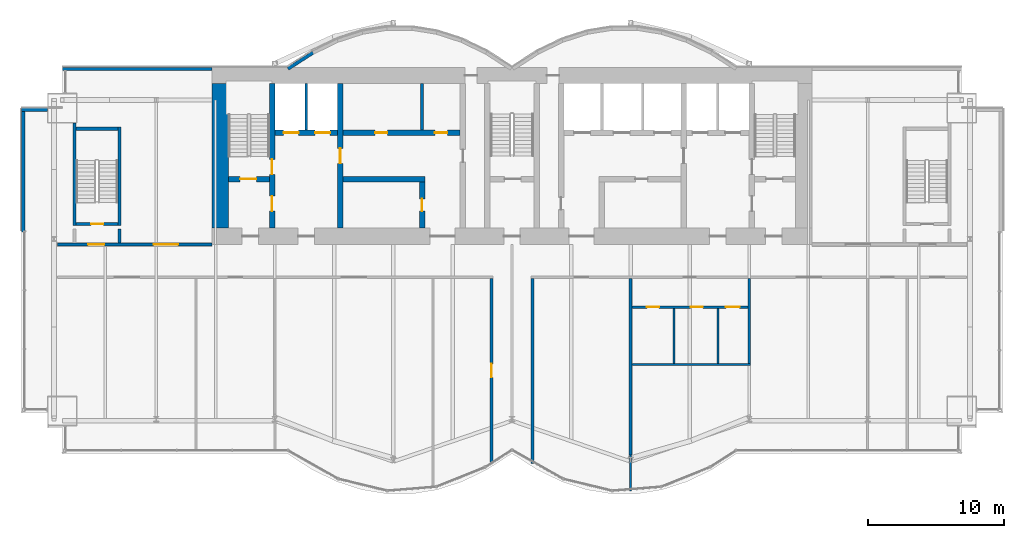
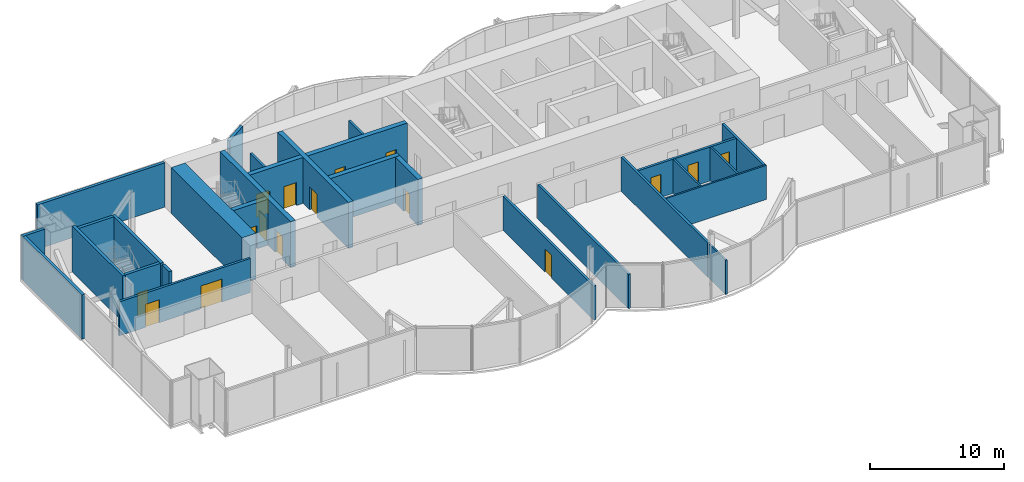
# One storey, part 13 of 19: 28 walls, 16 doors, 16 openings.
"""IFC4 building model written with IfcOpenShell, lengths in metres."""

from ifc_helpers import new_model, si_unit, direction, frame, frame_2d, origin, place, context, subcontext, project, spatial, rectangle, extrude, material, layer, layer_set, layer_usage, type_object, element, fill, save


model = new_model("IFC4")

# Units and contexts
model_context = context("Model", 3, precision=1e-05, world=origin(), true_north=direction((0.0, 1.0)))
body_context = subcontext(model_context, "Body", "Model", "MODEL_VIEW")
ifc_project = project(units=[si_unit("LENGTHUNIT", "METRE"), si_unit("AREAUNIT", "SQUARE_METRE"), si_unit("VOLUMEUNIT", "CUBIC_METRE"), si_unit("PLANEANGLEUNIT", "RADIAN"), si_unit("MASSUNIT", "GRAM", prefix="KILO")], contexts=[model_context])

# Site, building, storey
site_placement = place(None, origin())
site = spatial("IfcSite", under=ifc_project, at=site_placement, CompositionType="ELEMENT")
building_placement = place(site_placement, origin())
building = spatial("IfcBuilding", under=site, at=building_placement, Name="Bicima Exchange Tower", CompositionType="ELEMENT")
storey_placement = place(building_placement, frame((0.0, 0.0, 275.0)))
storey = spatial("IfcBuildingStorey", under=building, at=storey_placement, Name="L62", CompositionType="ELEMENT", Elevation=275.0)

# Wall
ifc_material_1 = material(Name="Gypsum board partition")
ifc_layer_1 = layer(ifc_material_1, 0.199951171875)
ifc_layer_set_1 = layer_set([ifc_layer_1], Name="Gypsum board partition")
wall_type_1 = type_object("IfcWallType", Name="Fire-rated gypsum partition 200 EI120", PredefinedType="PARTITIONING", material=ifc_layer_set_1)
wall_1_placement = place(storey_placement, frame((-15.10009765625, -4.60009765625, 0.0), z_axis=(0.0, 0.0, 1.0), x_axis=(0.0, 1.0, 0.0)))
element("IfcWall", 1, at=wall_1_placement, inside=storey, type_object=wall_type_1, Name="partition wall 9", PredefinedType="PARTITIONING", context=body_context, shape_type="SweptSolid", body=[
    extrude(rectangle(XDim=3.400146484375, YDim=0.199951171875, at=frame_2d((1.7001953125, 0.0))), origin(), (0.0, 0.0, 1.0), 3.1181640625),
])

# Wall, openings, doors
ifc_layer_2 = layer(ifc_material_1, 0.199951171875)
ifc_layer_set_2 = layer_set([ifc_layer_2], Name="Gypsum board partition")
wall_type_2 = type_object("IfcWallType", Name="Fire-rated gypsum partition 200 EI60", PredefinedType="PARTITIONING", material=ifc_layer_set_2)
wall_2_placement = place(storey_placement, frame((8.800048828125, -17.60009765625, 0.0), z_axis=(0.0, 0.0, 1.0), x_axis=(1.0, 0.0, 0.0)))
wall_2 = element("IfcWall", 2, at=wall_2_placement, inside=storey, type_object=wall_type_2, Name="partition wall 2", PredefinedType="PARTITIONING", context=body_context, shape_type="SweptSolid", body=[
    extrude(rectangle(XDim=8.5, YDim=0.199951171875, at=frame_2d((4.25, 0.0))), origin(), (0.0, 0.0, 1.0), 3.1181640625),
])
opening_1_placement = place(wall_2_placement, frame((1.10009765625, 0.0, 0.0)))
opening_1 = element("IfcOpeningElement", 3, at=opening_1_placement, cuts=wall_2, Name="Opening L62-013", PredefinedType="OPENING", context=body_context, shape_type="SweptSolid", body=[
    extrude(rectangle(XDim=0.89990234375, YDim=2.10009765625, at=frame_2d((0.449951171875, 1.050048828125))), frame((0.0, 0.11181640625, 0.0), z_axis=(0.0, -1.0, 0.0), x_axis=(1.0, 0.0, 0.0)), (0.0, 0.0, 1.0), 0.223876953125),
])
opening_2_placement = place(wall_2_placement, frame((4.300048828125, 0.0, 0.0)))
opening_2 = element("IfcOpeningElement", 4, at=opening_2_placement, cuts=wall_2, Name="Opening L62-014", PredefinedType="OPENING", context=body_context, shape_type="SweptSolid", body=[
    extrude(rectangle(XDim=0.89990234375, YDim=2.10009765625, at=frame_2d((0.449951171875, 1.050048828125))), frame((0.0, 0.11181640625, 0.0), z_axis=(0.0, -1.0, 0.0), x_axis=(1.0, 0.0, 0.0)), (0.0, 0.0, 1.0), 0.223876953125),
])
opening_3_placement = place(wall_2_placement, frame((6.89990234375, 0.0, 0.0)))
opening_3 = element("IfcOpeningElement", 5, at=opening_3_placement, cuts=wall_2, Name="Opening L62-015", PredefinedType="OPENING", context=body_context, shape_type="SweptSolid", body=[
    extrude(rectangle(XDim=1.0, YDim=2.10009765625, at=frame_2d((0.5, 1.050048828125))), frame((0.0, 0.11181640625, 0.0), z_axis=(0.0, -1.0, 0.0), x_axis=(1.0, 0.0, 0.0)), (0.0, 0.0, 1.0), 0.223876953125),
])
ifc_material_2 = material(Name="Steel fire door leaf", Category="steel")
door_type_1 = type_object("IfcDoorType", Name="Door 1000 swing FD30S", OperationType="SINGLE_SWING_LEFT", PredefinedType="DOOR", material=ifc_material_2)
door_1_placement = place(opening_3_placement, frame((1.0, 0.0, 0.0), z_axis=(0.0, 0.0, 1.0), x_axis=(-1.0, 0.0, 0.0)))
door_1 = element("IfcDoor", 6, at=door_1_placement, inside=storey, type_object=door_type_1, Name="Door", OperationType="SINGLE_SWING_RIGHT", OverallHeight=2.10009765625, OverallWidth=1.0, PredefinedType="DOOR", context=body_context, shape_type="SweptSolid", body=[
    extrude(rectangle(XDim=1.0, YDim=2.10009765625, at=frame_2d((0.5, 1.050048828125))), frame((0.0, 0.02490234375, 0.0), z_axis=(0.0, -1.0, 0.0), x_axis=(1.0, 0.0, 0.0)), (0.0, 0.0, 1.0), 0.050048828125),
])
fill(opening_3, door_1)
door_type_2 = type_object("IfcDoorType", Name="Door 900 swing FD30S", OperationType="SINGLE_SWING_LEFT", PredefinedType="DOOR", material=ifc_material_2)
door_2_placement = place(opening_1_placement, frame((0.89990234375, 0.0, 0.0), z_axis=(0.0, 0.0, 1.0), x_axis=(-1.0, 0.0, 0.0)))
door_2 = element("IfcDoor", 7, at=door_2_placement, inside=storey, type_object=door_type_2, Name="Door", OperationType="SINGLE_SWING_LEFT", OverallHeight=2.10009765625, OverallWidth=0.89990234375, PredefinedType="DOOR", context=body_context, shape_type="SweptSolid", body=[
    extrude(rectangle(XDim=0.89990234375, YDim=2.10009765625, at=frame_2d((0.449951171875, 1.050048828125))), frame((0.0, 0.02490234375, 0.0), z_axis=(0.0, -1.0, 0.0), x_axis=(1.0, 0.0, 0.0)), (0.0, 0.0, 1.0), 0.050048828125),
])
fill(opening_1, door_2)
door_3_placement = place(opening_2_placement, frame((0.89990234375, 0.0, 0.0), z_axis=(0.0, 0.0, 1.0), x_axis=(-1.0, 0.0, 0.0)))
door_3 = element("IfcDoor", 8, at=door_3_placement, inside=storey, type_object=door_type_2, Name="Door", OperationType="SINGLE_SWING_RIGHT", OverallHeight=2.10009765625, OverallWidth=0.89990234375, PredefinedType="DOOR", context=body_context, shape_type="SweptSolid", body=[
    extrude(rectangle(XDim=0.89990234375, YDim=2.10009765625, at=frame_2d((0.449951171875, 1.050048828125))), frame((0.0, 0.02490234375, 0.0), z_axis=(0.0, -1.0, 0.0), x_axis=(1.0, 0.0, 0.0)), (0.0, 0.0, 1.0), 0.050048828125),
])
fill(opening_2, door_3)

wall_3_placement = place(storey_placement, frame((-33.340087890625, -13.0, 0.0), z_axis=(0.0, 0.0, 1.0), x_axis=(1.0, 0.0, 0.0)))
wall_3 = element("IfcWall", 9, at=wall_3_placement, inside=storey, type_object=wall_type_2, Name="partition wall 5", PredefinedType="PARTITIONING", context=body_context, shape_type="SweptSolid", body=[
    extrude(rectangle(XDim=11.340087890625, YDim=0.199951171875, at=frame_2d((5.669921875, 0.0))), origin(), (0.0, 0.0, 1.0), 3.1181640625),
])
opening_4_placement = place(wall_3_placement, frame((2.239990234375, 0.0, 0.0)))
opening_4 = element("IfcOpeningElement", 10, at=opening_4_placement, cuts=wall_3, Name="Opening L62-001", PredefinedType="OPENING", context=body_context, shape_type="SweptSolid", body=[
    extrude(rectangle(XDim=1.199951171875, YDim=2.10009765625, at=frame_2d((0.60009765625, 1.050048828125))), frame((0.0, 0.11181640625, 0.0), z_axis=(0.0, -1.0, 0.0), x_axis=(1.0, 0.0, 0.0)), (0.0, 0.0, 1.0), 0.223876953125),
])
opening_5_placement = place(wall_3_placement, frame((7.0400390625, 0.0, 0.0)))
opening_5 = element("IfcOpeningElement", 11, at=opening_5_placement, cuts=wall_3, Name="Opening L62-005", PredefinedType="OPENING", context=body_context, shape_type="SweptSolid", body=[
    extrude(rectangle(XDim=1.800048828125, YDim=2.10009765625, at=frame_2d((0.89990234375, 1.050048828125))), frame((0.0, 0.11181640625, 0.0), z_axis=(0.0, -1.0, 0.0), x_axis=(1.0, 0.0, 0.0)), (0.0, 0.0, 1.0), 0.223876953125),
])
door_type_3 = type_object("IfcDoorType", Name="Door 1200 swing FD30S", OperationType="SINGLE_SWING_LEFT", PredefinedType="DOOR", material=ifc_material_2)
door_4_placement = place(opening_4_placement, origin())
door_4 = element("IfcDoor", 12, at=door_4_placement, inside=storey, type_object=door_type_3, Name="Door", OperationType="SINGLE_SWING_LEFT", OverallHeight=2.10009765625, OverallWidth=1.199951171875, PredefinedType="DOOR", context=body_context, shape_type="SweptSolid", body=[
    extrude(rectangle(XDim=1.199951171875, YDim=2.10009765625, at=frame_2d((0.60009765625, 1.050048828125))), frame((0.0, 0.02490234375, 0.0), z_axis=(0.0, -1.0, 0.0), x_axis=(1.0, 0.0, 0.0)), (0.0, 0.0, 1.0), 0.050048828125),
])
fill(opening_4, door_4)
door_type_4 = type_object("IfcDoorType", Name="Door 1800 double swing FD30S", OperationType="DOUBLE_DOOR_SINGLE_SWING", PredefinedType="DOOR", material=ifc_material_2)
door_5_placement = place(opening_5_placement, origin())
door_5 = element("IfcDoor", 13, at=door_5_placement, inside=storey, type_object=door_type_4, Name="Door", OperationType="SINGLE_SWING_LEFT", OverallHeight=2.10009765625, OverallWidth=1.800048828125, PredefinedType="DOOR", context=body_context, shape_type="SweptSolid", body=[
    extrude(rectangle(XDim=1.800048828125, YDim=2.10009765625, at=frame_2d((0.89990234375, 1.050048828125))), frame((0.0, 0.02490234375, 0.0), z_axis=(0.0, -1.0, 0.0), x_axis=(1.0, 0.0, 0.0)), (0.0, 0.0, 1.0), 0.050048828125),
])
fill(opening_5, door_5)

# Wall, opening, door
wall_4_placement = place(storey_placement, frame((-1.5, -29.06005859375, 0.0), z_axis=(0.0, 0.0, 1.0), x_axis=(0.0, 1.0, 0.0)))
wall_4 = element("IfcWall", 14, at=wall_4_placement, inside=storey, type_object=wall_type_2, Name="partition wall 17", PredefinedType="PARTITIONING", context=body_context, shape_type="SweptSolid", body=[
    extrude(rectangle(XDim=13.56005859375, YDim=0.199951171875, at=frame_2d((6.780029296875, 0.0))), origin(), (0.0, 0.0, 1.0), 3.1181640625),
])
opening_6_placement = place(wall_4_placement, frame((6.300048828125, 0.0, 0.0)))
opening_6 = element("IfcOpeningElement", 15, at=opening_6_placement, cuts=wall_4, Name="Opening L62-010", PredefinedType="OPENING", context=body_context, shape_type="SweptSolid", body=[
    extrude(rectangle(XDim=1.0, YDim=2.10009765625, at=frame_2d((0.5, 1.050048828125))), frame((0.0, 0.11181640625, 0.0), z_axis=(0.0, -1.0, 0.0), x_axis=(1.0, 0.0, 0.0)), (0.0, 0.0, 1.0), 0.223876953125),
])
door_6_placement = place(opening_6_placement, origin())
door_6 = element("IfcDoor", 16, at=door_6_placement, inside=storey, type_object=door_type_1, Name="Door", OperationType="SINGLE_SWING_LEFT", OverallHeight=2.10009765625, OverallWidth=1.0, PredefinedType="DOOR", context=body_context, shape_type="SweptSolid", body=[
    extrude(rectangle(XDim=1.0, YDim=2.10009765625, at=frame_2d((0.5, 1.050048828125))), frame((0.0, 0.02490234375, 0.0), z_axis=(0.0, -1.0, 0.0), x_axis=(1.0, 0.0, 0.0)), (0.0, 0.0, 1.0), 0.050048828125),
])
fill(opening_6, door_6)

# Walls
wall_5_placement = place(storey_placement, frame((1.5, -29.06005859375, 0.0), z_axis=(0.0, 0.0, 1.0), x_axis=(0.0, 1.0, 0.0)))
element("IfcWall", 17, at=wall_5_placement, inside=storey, type_object=wall_type_2, Name="partition wall 18", PredefinedType="PARTITIONING", context=body_context, shape_type="SweptSolid", body=[
    extrude(rectangle(XDim=13.56005859375, YDim=0.199951171875, at=frame_2d((6.780029296875, 0.0))), origin(), (0.0, 0.0, 1.0), 3.1181640625),
])
wall_6_placement = place(storey_placement, frame((8.699951171875, -28.44580078125, 0.0), z_axis=(0.0, 0.0, 1.0), x_axis=(0.0, 1.0, 0.0)))
element("IfcWall", 18, at=wall_6_placement, inside=storey, type_object=wall_type_2, Name="partition wall 20", PredefinedType="PARTITIONING", context=body_context, shape_type="SweptSolid", body=[
    extrude(rectangle(XDim=12.94580078125, YDim=0.199951171875, at=frame_2d((6.472900390625, 0.0))), origin(), (0.0, 0.0, 1.0), 3.1181640625),
])
wall_7_placement = place(storey_placement, frame((17.39990234375, -21.72509765625, 0.0), z_axis=(0.0, 0.0, 1.0), x_axis=(0.0, 1.0, 0.0)))
element("IfcWall", 19, at=wall_7_placement, inside=storey, type_object=wall_type_2, Name="partition wall 23", PredefinedType="PARTITIONING", context=body_context, shape_type="SweptSolid", body=[
    extrude(rectangle(XDim=6.22509765625, YDim=0.199951171875, at=frame_2d((3.112548828125, 0.0))), origin(), (0.0, 0.0, 1.0), 3.1181640625),
])
wall_8_placement = place(storey_placement, frame((-6.60009765625, -4.60009765625, 0.0), z_axis=(0.0, 0.0, 1.0), x_axis=(0.0, 1.0, 0.0)))
element("IfcWall", 20, at=wall_8_placement, inside=storey, type_object=wall_type_2, Name="partition wall 12", PredefinedType="PARTITIONING", context=body_context, shape_type="SweptSolid", body=[
    extrude(rectangle(XDim=3.400146484375, YDim=0.199951171875, at=frame_2d((1.7001953125, 0.0))), origin(), (0.0, 0.0, 1.0), 3.1181640625),
])
ifc_layer_3 = layer(ifc_material_1, 0.14990234375)
ifc_layer_set_3 = layer_set([ifc_layer_3], Name="Gypsum board partition")
wall_type_3 = type_object("IfcWallType", Name="Gypsum partition 150", PredefinedType="PARTITIONING", material=ifc_layer_set_3)
wall_9_placement = place(storey_placement, frame((8.800048828125, -21.800048828125, 0.0), z_axis=(0.0, 0.0, 1.0), x_axis=(1.0, 0.0, 0.0)))
element("IfcWall", 21, at=wall_9_placement, inside=storey, type_object=wall_type_3, Name="partition wall 1", PredefinedType="PARTITIONING", context=body_context, shape_type="SweptSolid", body=[
    extrude(rectangle(XDim=8.699951171875, YDim=0.14990234375, at=frame_2d((4.35009765625, 0.0))), origin(), (0.0, 0.0, 1.0), 3.1181640625),
])
wall_10_placement = place(storey_placement, frame((8.699951171875, -31.090087890625, 0.0), z_axis=(0.0, 0.0, 1.0), x_axis=(0.0, 1.0, 0.0)))
element("IfcWall", 22, at=wall_10_placement, inside=storey, type_object=wall_type_3, Name="partition wall 19", PredefinedType="PARTITIONING", context=body_context, shape_type="SweptSolid", body=[
    extrude(rectangle(XDim=2.644287109375, YDim=0.14990234375, at=frame_2d((1.322265625, 0.0))), origin(), (0.0, 0.0, 1.0), 3.1181640625),
])
for number, where, z_axis, x_axis, name in (
    (23, (11.89990234375, -21.72509765625, 0.0), (0.0, 0.0, 1.0), (0.0, 1.0, 0.0), "partition wall 21"),
    (24, (15.10009765625, -21.72509765625, 0.0), (0.0, 0.0, 1.0), (0.0, 1.0, 0.0), "partition wall 22"),
):
    element("IfcWall", number, at=place(storey_placement, frame(where, z_axis=z_axis, x_axis=x_axis)), inside=storey, type_object=wall_type_3, Name=name, PredefinedType="PARTITIONING", context=body_context, shape_type="SweptSolid", body=[
        extrude(rectangle(XDim=4.025146484375, YDim=0.14990234375, at=frame_2d((2.0126953125, 0.0))), origin(), (0.0, 0.0, 1.0), 3.1181640625),
    ])
ifc_material_3 = material(Name="Concrete C40/50", Category="concrete")
ifc_layer_4 = layer(ifc_material_3, 1.199951171875)
ifc_layer_set_4 = layer_set([ifc_layer_4], Name="Concrete C40/50")
wall_type_4 = type_object("IfcWallType", Name="RC core wall 1200 C40/50", PredefinedType="SHEAR", material=ifc_layer_set_4)
wall_11_placement = place(storey_placement, frame((-21.39990234375, -11.800048828125, 0.0), z_axis=(0.0, 0.0, 1.0), x_axis=(0.0, 1.0, 0.0)))
element("IfcWall", 25, at=wall_11_placement, inside=storey, type_object=wall_type_4, Name="Core wall west", PredefinedType="SHEAR", context=body_context, shape_type="SweptSolid", body=[
    extrude(rectangle(XDim=10.60009765625, YDim=1.199951171875, at=frame_2d((5.300048828125, 0.0))), origin(), (0.0, 0.0, 1.0), 4.199951171875),
])
ifc_material_4 = material(Name="Concrete C50/60", Category="concrete")
ifc_layer_5 = layer(ifc_material_4, 0.25)
ifc_layer_set_5 = layer_set([ifc_layer_5], Name="Concrete C50/60")
wall_type_5 = type_object("IfcWallType", Name="RC core wall 250 C50/60", PredefinedType="SHEAR", material=ifc_layer_set_5)
wall_12_placement = place(storey_placement, frame((-28.800048828125, -12.89990234375, 0.0), z_axis=(0.0, 0.0, 1.0), x_axis=(0.0, 1.0, 0.0)))
element("IfcWall", 26, at=wall_12_placement, inside=storey, type_object=wall_type_5, Name="stair wall 12", PredefinedType="SHEAR", context=body_context, shape_type="SweptSolid", body=[
    extrude(rectangle(XDim=1.0498046875, YDim=0.25, at=frame_2d((0.52490234375, 0.0))), origin(), (0.0, 0.0, 1.0), 4.199951171875),
])
ifc_layer_6 = layer(ifc_material_3, 0.39990234375)
ifc_layer_set_6 = layer_set([ifc_layer_6], Name="Concrete C40/50")
wall_type_6 = type_object("IfcWallType", Name="RC core wall 400 C40/50", PredefinedType="SHEAR", material=ifc_layer_set_6)
wall_13_placement = place(storey_placement, frame((-12.39990234375, -8.199951171875, 0.0), z_axis=(0.0, 0.0, 1.0), x_axis=(1.0, 0.0, 0.0)))
element("IfcWall", 27, at=wall_13_placement, inside=storey, type_object=wall_type_6, Name="shear wall 2", PredefinedType="SHEAR", context=body_context, shape_type="SweptSolid", body=[
    extrude(rectangle(XDim=6.0, YDim=0.39990234375, at=frame_2d((3.0, 0.0))), origin(), (0.0, 0.0, 1.0), 4.199951171875),
])

# Wall, openings, doors
wall_14_placement = place(storey_placement, frame((-17.39990234375, -4.800048828125, 0.0), z_axis=(0.0, 0.0, 1.0), x_axis=(1.0, 0.0, 0.0)))
wall_14 = element("IfcWall", 28, at=wall_14_placement, inside=storey, type_object=wall_type_6, Name="shear wall 6", PredefinedType="SHEAR", context=body_context, shape_type="SweptSolid", body=[
    extrude(rectangle(XDim=13.599853515625, YDim=0.39990234375, at=frame_2d((6.7998046875, 0.0))), origin(), (0.0, 0.0, 1.0), 4.199951171875),
])
opening_7_placement = place(wall_14_placement, frame((0.64990234375, 0.0, 0.0)))
opening_7 = element("IfcOpeningElement", 29, at=opening_7_placement, cuts=wall_14, Name="Opening LD-FF1-L62", PredefinedType="OPENING", context=body_context, shape_type="SweptSolid", body=[
    extrude(rectangle(XDim=1.10009765625, YDim=2.10009765625, at=frame_2d((0.550048828125, 1.050048828125))), frame((0.0, 0.2119140625, 0.0), z_axis=(0.0, -1.0, 0.0), x_axis=(1.0, 0.0, 0.0)), (0.0, 0.0, 1.0), 0.423828125),
])
opening_8_placement = place(wall_14_placement, frame((2.949951171875, 0.0, 0.0)))
opening_8 = element("IfcOpeningElement", 30, at=opening_8_placement, cuts=wall_14, Name="Opening LD-FF3-L62", PredefinedType="OPENING", context=body_context, shape_type="SweptSolid", body=[
    extrude(rectangle(XDim=1.10009765625, YDim=2.10009765625, at=frame_2d((0.550048828125, 1.050048828125))), frame((0.0, 0.2119140625, 0.0), z_axis=(0.0, -1.0, 0.0), x_axis=(1.0, 0.0, 0.0)), (0.0, 0.0, 1.0), 0.423828125),
])
opening_9_placement = place(wall_14_placement, frame((7.35009765625, 0.0, 0.0)))
opening_9 = element("IfcOpeningElement", 31, at=opening_9_placement, cuts=wall_14, Name="Opening L62-C12", PredefinedType="OPENING", context=body_context, shape_type="SweptSolid", body=[
    extrude(rectangle(XDim=0.89990234375, YDim=2.10009765625, at=frame_2d((0.449951171875, 1.050048828125))), frame((0.0, 0.2119140625, 0.0), z_axis=(0.0, -1.0, 0.0), x_axis=(1.0, 0.0, 0.0)), (0.0, 0.0, 1.0), 0.423828125),
])
opening_10_placement = place(wall_14_placement, frame((11.75, 0.0, 0.0)))
opening_10 = element("IfcOpeningElement", 32, at=opening_10_placement, cuts=wall_14, Name="Opening L62-C13", PredefinedType="OPENING", context=body_context, shape_type="SweptSolid", body=[
    extrude(rectangle(XDim=0.89990234375, YDim=2.10009765625, at=frame_2d((0.449951171875, 1.050048828125))), frame((0.0, 0.2119140625, 0.0), z_axis=(0.0, -1.0, 0.0), x_axis=(1.0, 0.0, 0.0)), (0.0, 0.0, 1.0), 0.423828125),
])
door_7_placement = place(opening_9_placement, origin())
door_7 = element("IfcDoor", 33, at=door_7_placement, inside=storey, type_object=door_type_2, Name="Core door", OperationType="SINGLE_SWING_RIGHT", OverallHeight=2.10009765625, OverallWidth=0.89990234375, PredefinedType="DOOR", context=body_context, shape_type="SweptSolid", body=[
    extrude(rectangle(XDim=0.89990234375, YDim=2.10009765625, at=frame_2d((0.449951171875, 1.050048828125))), frame((0.0, 0.02490234375, 0.0), z_axis=(0.0, -1.0, 0.0), x_axis=(1.0, 0.0, 0.0)), (0.0, 0.0, 1.0), 0.050048828125),
])
fill(opening_9, door_7)
door_8_placement = place(opening_10_placement, origin())
door_8 = element("IfcDoor", 34, at=door_8_placement, inside=storey, type_object=door_type_2, Name="Core door", OperationType="SINGLE_SWING_LEFT", OverallHeight=2.10009765625, OverallWidth=0.89990234375, PredefinedType="DOOR", context=body_context, shape_type="SweptSolid", body=[
    extrude(rectangle(XDim=0.89990234375, YDim=2.10009765625, at=frame_2d((0.449951171875, 1.050048828125))), frame((0.0, 0.02490234375, 0.0), z_axis=(0.0, -1.0, 0.0), x_axis=(1.0, 0.0, 0.0)), (0.0, 0.0, 1.0), 0.050048828125),
])
fill(opening_10, door_8)
ifc_material_5 = material(Name="Stainless steel", Category="steel")
door_type_5 = type_object("IfcDoorType", Name="Lift landing door 1100 sliding", OperationType="DOUBLE_DOOR_SLIDING", PredefinedType="DOOR", material=ifc_material_5)
door_9_placement = place(opening_7_placement, origin())
door_9 = element("IfcDoor", 35, at=door_9_placement, inside=storey, type_object=door_type_5, Name="Lift landing door FF1", OperationType="DOUBLE_DOOR_SLIDING", OverallHeight=2.10009765625, OverallWidth=1.10009765625, PredefinedType="DOOR", context=body_context, shape_type="SweptSolid", body=[
    extrude(rectangle(XDim=1.10009765625, YDim=2.10009765625, at=frame_2d((0.550048828125, 1.050048828125))), frame((0.0, 0.02490234375, 0.0), z_axis=(0.0, -1.0, 0.0), x_axis=(1.0, 0.0, 0.0)), (0.0, 0.0, 1.0), 0.050048828125),
])
fill(opening_7, door_9)
door_10_placement = place(opening_8_placement, origin())
door_10 = element("IfcDoor", 36, at=door_10_placement, inside=storey, type_object=door_type_5, Name="Lift landing door FF3", OperationType="DOUBLE_DOOR_SLIDING", OverallHeight=2.10009765625, OverallWidth=1.10009765625, PredefinedType="DOOR", context=body_context, shape_type="SweptSolid", body=[
    extrude(rectangle(XDim=1.10009765625, YDim=2.10009765625, at=frame_2d((0.550048828125, 1.050048828125))), frame((0.0, 0.02490234375, 0.0), z_axis=(0.0, -1.0, 0.0), x_axis=(1.0, 0.0, 0.0)), (0.0, 0.0, 1.0), 0.050048828125),
])
fill(opening_8, door_10)

# Wall, opening, door
wall_15_placement = place(storey_placement, frame((-12.60009765625, -11.800048828125, 0.0), z_axis=(0.0, 0.0, 1.0), x_axis=(0.0, 1.0, 0.0)))
wall_15 = element("IfcWall", 37, at=wall_15_placement, inside=storey, type_object=wall_type_6, Name="shear wall 10", PredefinedType="SHEAR", context=body_context, shape_type="SweptSolid", body=[
    extrude(rectangle(XDim=10.60009765625, YDim=0.39990234375, at=frame_2d((5.300048828125, 0.0))), origin(), (0.0, 0.0, 1.0), 4.199951171875),
])
opening_11_placement = place(wall_15_placement, frame((4.75, 0.0, 0.0)))
opening_11 = element("IfcOpeningElement", 38, at=opening_11_placement, cuts=wall_15, Name="Opening L62-C07", PredefinedType="OPENING", context=body_context, shape_type="SweptSolid", body=[
    extrude(rectangle(XDim=1.10009765625, YDim=2.10009765625, at=frame_2d((0.550048828125, 1.050048828125))), frame((0.0, 0.2119140625, 0.0), z_axis=(0.0, -1.0, 0.0), x_axis=(1.0, 0.0, 0.0)), (0.0, 0.0, 1.0), 0.423828125),
])
door_type_6 = type_object("IfcDoorType", Name="Door 1100 swing FD60S", OperationType="SINGLE_SWING_LEFT", PredefinedType="DOOR", material=ifc_material_2)
door_11_placement = place(opening_11_placement, origin())
door_11 = element("IfcDoor", 39, at=door_11_placement, inside=storey, type_object=door_type_6, Name="Core door", OperationType="SINGLE_SWING_LEFT", OverallHeight=2.10009765625, OverallWidth=1.10009765625, PredefinedType="DOOR", context=body_context, shape_type="SweptSolid", body=[
    extrude(rectangle(XDim=1.10009765625, YDim=2.10009765625, at=frame_2d((0.550048828125, 1.050048828125))), frame((0.0, 0.02490234375, 0.0), z_axis=(0.0, -1.0, 0.0), x_axis=(1.0, 0.0, 0.0)), (0.0, 0.0, 1.0), 0.050048828125),
])
fill(opening_11, door_11)

wall_16_placement = place(storey_placement, frame((-6.60009765625, -11.800048828125, 0.0), z_axis=(0.0, 0.0, 1.0), x_axis=(0.0, 1.0, 0.0)))
wall_16 = element("IfcWall", 40, at=wall_16_placement, inside=storey, type_object=wall_type_6, Name="shear wall 11", PredefinedType="SHEAR", context=body_context, shape_type="SweptSolid", body=[
    extrude(rectangle(XDim=3.400146484375, YDim=0.39990234375, at=frame_2d((1.7001953125, 0.0))), origin(), (0.0, 0.0, 1.0), 4.199951171875),
])
opening_12_placement = place(wall_16_placement, frame((1.25, 0.0, 0.0)))
opening_12 = element("IfcOpeningElement", 41, at=opening_12_placement, cuts=wall_16, Name="Opening L62-C14", PredefinedType="OPENING", context=body_context, shape_type="SweptSolid", body=[
    extrude(rectangle(XDim=0.89990234375, YDim=2.10009765625, at=frame_2d((0.449951171875, 1.050048828125))), frame((0.0, 0.2119140625, 0.0), z_axis=(0.0, -1.0, 0.0), x_axis=(1.0, 0.0, 0.0)), (0.0, 0.0, 1.0), 0.423828125),
])
door_12_placement = place(opening_12_placement, origin())
door_12 = element("IfcDoor", 42, at=door_12_placement, inside=storey, type_object=door_type_2, Name="Core door", OperationType="SINGLE_SWING_RIGHT", OverallHeight=2.10009765625, OverallWidth=0.89990234375, PredefinedType="DOOR", context=body_context, shape_type="SweptSolid", body=[
    extrude(rectangle(XDim=0.89990234375, YDim=2.10009765625, at=frame_2d((0.449951171875, 1.050048828125))), frame((0.0, 0.02490234375, 0.0), z_axis=(0.0, -1.0, 0.0), x_axis=(1.0, 0.0, 0.0)), (0.0, 0.0, 1.0), 0.050048828125),
])
fill(opening_12, door_12)

ifc_layer_7 = layer(ifc_material_4, 0.39990234375)
ifc_layer_set_7 = layer_set([ifc_layer_7], Name="Concrete C50/60")
wall_type_7 = type_object("IfcWallType", Name="RC core wall 400 C50/60", PredefinedType="SHEAR", material=ifc_layer_set_7)
wall_17_placement = place(storey_placement, frame((-20.800048828125, -8.199951171875, 0.0), z_axis=(0.0, 0.0, 1.0), x_axis=(1.0, 0.0, 0.0)))
wall_17 = element("IfcWall", 43, at=wall_17_placement, inside=storey, type_object=wall_type_7, Name="stair wall 1", PredefinedType="SHEAR", context=body_context, shape_type="SweptSolid", body=[
    extrude(rectangle(XDim=3.0, YDim=0.39990234375, at=frame_2d((1.5, 0.0))), origin(), (0.0, 0.0, 1.0), 4.199951171875),
])
opening_13_placement = place(wall_17_placement, frame((0.85009765625, 0.0, 0.0)))
opening_13 = element("IfcOpeningElement", 44, at=opening_13_placement, cuts=wall_17, Name="Opening L62-C01", PredefinedType="OPENING", context=body_context, shape_type="SweptSolid", body=[
    extrude(rectangle(XDim=1.199951171875, YDim=2.10009765625, at=frame_2d((0.60009765625, 1.050048828125))), frame((0.0, 0.2119140625, 0.0), z_axis=(0.0, -1.0, 0.0), x_axis=(1.0, 0.0, 0.0)), (0.0, 0.0, 1.0), 0.423828125),
])
door_type_7 = type_object("IfcDoorType", Name="Door 1200 swing FD60S", OperationType="SINGLE_SWING_LEFT", PredefinedType="DOOR", material=ifc_material_2)
door_13_placement = place(opening_13_placement, origin())
door_13 = element("IfcDoor", 45, at=door_13_placement, inside=storey, type_object=door_type_7, Name="Core door", OperationType="SINGLE_SWING_LEFT", OverallHeight=2.10009765625, OverallWidth=1.199951171875, PredefinedType="DOOR", context=body_context, shape_type="SweptSolid", body=[
    extrude(rectangle(XDim=1.199951171875, YDim=2.10009765625, at=frame_2d((0.60009765625, 1.050048828125))), frame((0.0, 0.02490234375, 0.0), z_axis=(0.0, -1.0, 0.0), x_axis=(1.0, 0.0, 0.0)), (0.0, 0.0, 1.0), 0.050048828125),
])
fill(opening_13, door_13)

# Wall, openings, doors
wall_18_placement = place(storey_placement, frame((-17.60009765625, -11.800048828125, 0.0), z_axis=(0.0, 0.0, 1.0), x_axis=(0.0, 1.0, 0.0)))
wall_18 = element("IfcWall", 46, at=wall_18_placement, inside=storey, type_object=wall_type_7, Name="stair wall 8", PredefinedType="SHEAR", context=body_context, shape_type="SweptSolid", body=[
    extrude(rectangle(XDim=10.60009765625, YDim=0.39990234375, at=frame_2d((5.300048828125, 0.0))), origin(), (0.0, 0.0, 1.0), 4.199951171875),
])
opening_14_placement = place(wall_18_placement, frame((1.25, 0.0, 0.0)))
opening_14 = element("IfcOpeningElement", 47, at=opening_14_placement, cuts=wall_18, Name="Opening L62-C02", PredefinedType="OPENING", context=body_context, shape_type="SweptSolid", body=[
    extrude(rectangle(XDim=1.10009765625, YDim=2.10009765625, at=frame_2d((0.550048828125, 1.050048828125))), frame((0.0, 0.2119140625, 0.0), z_axis=(0.0, -1.0, 0.0), x_axis=(1.0, 0.0, 0.0)), (0.0, 0.0, 1.0), 0.423828125),
])
opening_15_placement = place(wall_18_placement, frame((3.949951171875, 0.0, 0.0)))
opening_15 = element("IfcOpeningElement", 48, at=opening_15_placement, cuts=wall_18, Name="Opening L62-C06", PredefinedType="OPENING", context=body_context, shape_type="SweptSolid", body=[
    extrude(rectangle(XDim=1.10009765625, YDim=2.10009765625, at=frame_2d((0.550048828125, 1.050048828125))), frame((0.0, 0.2119140625, 0.0), z_axis=(0.0, -1.0, 0.0), x_axis=(1.0, 0.0, 0.0)), (0.0, 0.0, 1.0), 0.423828125),
])
door_14_placement = place(opening_14_placement, frame((1.10009765625, 0.0, 0.0), z_axis=(0.0, 0.0, 1.0), x_axis=(-1.0, 0.0, 0.0)))
door_14 = element("IfcDoor", 49, at=door_14_placement, inside=storey, type_object=door_type_6, Name="Core door", OperationType="SINGLE_SWING_LEFT", OverallHeight=2.10009765625, OverallWidth=1.10009765625, PredefinedType="DOOR", context=body_context, shape_type="SweptSolid", body=[
    extrude(rectangle(XDim=1.10009765625, YDim=2.10009765625, at=frame_2d((0.550048828125, 1.050048828125))), frame((0.0, 0.02490234375, 0.0), z_axis=(0.0, -1.0, 0.0), x_axis=(1.0, 0.0, 0.0)), (0.0, 0.0, 1.0), 0.050048828125),
])
fill(opening_14, door_14)
door_15_placement = place(opening_15_placement, frame((1.10009765625, 0.0, 0.0), z_axis=(0.0, 0.0, 1.0), x_axis=(-1.0, 0.0, 0.0)))
door_15 = element("IfcDoor", 50, at=door_15_placement, inside=storey, type_object=door_type_6, Name="Core door", OperationType="SINGLE_SWING_LEFT", OverallHeight=2.10009765625, OverallWidth=1.10009765625, PredefinedType="DOOR", context=body_context, shape_type="SweptSolid", body=[
    extrude(rectangle(XDim=1.10009765625, YDim=2.10009765625, at=frame_2d((0.550048828125, 1.050048828125))), frame((0.0, 0.02490234375, 0.0), z_axis=(0.0, -1.0, 0.0), x_axis=(1.0, 0.0, 0.0)), (0.0, 0.0, 1.0), 0.050048828125),
])
fill(opening_15, door_15)

# Walls
ifc_layer_8 = layer(ifc_material_4, 0.25)
ifc_layer_set_8 = layer_set([ifc_layer_8], Name="Concrete C50/60")
wall_type_8 = type_object("IfcWallType", Name="RC stair enclosure wall 250 C50/60", PredefinedType="SHEAR", material=ifc_layer_set_8)
wall_19_placement = place(storey_placement, frame((-32.10009765625, -11.625, 0.0), z_axis=(0.0, 0.0, 1.0), x_axis=(0.0, 1.0, 0.0)))
element("IfcWall", 51, at=wall_19_placement, inside=storey, type_object=wall_type_8, Name="West end exit stair wall W", PredefinedType="SHEAR", context=body_context, shape_type="SweptSolid", body=[
    extrude(rectangle(XDim=7.52490234375, YDim=0.25, at=frame_2d((3.762451171875, 0.0))), origin(), (0.0, 0.0, 1.0), 4.199951171875),
])
wall_20_placement = place(storey_placement, frame((-28.800048828125, -11.625, 0.0), z_axis=(0.0, 0.0, 1.0), x_axis=(0.0, 1.0, 0.0)))
element("IfcWall", 52, at=wall_20_placement, inside=storey, type_object=wall_type_8, Name="West end exit stair wall E", PredefinedType="SHEAR", context=body_context, shape_type="SweptSolid", body=[
    extrude(rectangle(XDim=7.25, YDim=0.25, at=frame_2d((3.625, 0.0))), origin(), (0.0, 0.0, 1.0), 4.199951171875),
])

# Wall, opening, door
wall_21_placement = place(storey_placement, frame((-31.97509765625, -11.5, 0.0), z_axis=(0.0, 0.0, 1.0), x_axis=(1.0, 0.0, 0.0)))
wall_21 = element("IfcWall", 53, at=wall_21_placement, inside=storey, type_object=wall_type_8, Name="West end exit stair wall S", PredefinedType="SHEAR", context=body_context, shape_type="SweptSolid", body=[
    extrude(rectangle(XDim=3.050048828125, YDim=0.25, at=frame_2d((1.52490234375, 0.0))), origin(), (0.0, 0.0, 1.0), 4.199951171875),
])
opening_16_placement = place(wall_21_placement, frame((1.10009765625, 0.0, 0.0)))
opening_16 = element("IfcOpeningElement", 54, at=opening_16_placement, cuts=wall_21, Name="Opening L62-002", PredefinedType="OPENING", context=body_context, shape_type="SweptSolid", body=[
    extrude(rectangle(XDim=0.89990234375, YDim=2.10009765625, at=frame_2d((0.449951171875, 1.050048828125))), frame((0.0, 0.136962890625, 0.0), z_axis=(0.0, -1.0, 0.0), x_axis=(1.0, 0.0, 0.0)), (0.0, 0.0, 1.0), 0.27392578125),
])
door_type_8 = type_object("IfcDoorType", Name="Door 900 swing FD60S", OperationType="SINGLE_SWING_LEFT", PredefinedType="DOOR", material=ifc_material_2)
door_16_placement = place(opening_16_placement, origin())
door_16 = element("IfcDoor", 55, at=door_16_placement, inside=storey, type_object=door_type_8, Name="Door", OperationType="SINGLE_SWING_LEFT", OverallHeight=2.10009765625, OverallWidth=0.89990234375, PredefinedType="DOOR", context=body_context, shape_type="SweptSolid", body=[
    extrude(rectangle(XDim=0.89990234375, YDim=2.10009765625, at=frame_2d((0.449951171875, 1.050048828125))), frame((0.0, 0.02490234375, 0.0), z_axis=(0.0, -1.0, 0.0), x_axis=(1.0, 0.0, 0.0)), (0.0, 0.0, 1.0), 0.050048828125),
])
fill(opening_16, door_16)

# Walls
wall_22_placement = place(storey_placement, frame((-31.97509765625, -4.5, 0.0), z_axis=(0.0, 0.0, 1.0), x_axis=(1.0, 0.0, 0.0)))
element("IfcWall", 56, at=wall_22_placement, inside=storey, type_object=wall_type_8, Name="West end exit stair wall N", PredefinedType="SHEAR", context=body_context, shape_type="SweptSolid", body=[
    extrude(rectangle(XDim=3.050048828125, YDim=0.25, at=frame_2d((1.52490234375, 0.0))), origin(), (0.0, 0.0, 1.0), 4.199951171875),
])
ifc_layer_9 = layer(ifc_material_3, 0.25)
ifc_layer_set_9 = layer_set([ifc_layer_9], Name="Concrete C40/50")
ifc_layer_usage = layer_usage(ifc_layer_set_9, "AXIS2", "POSITIVE", -0.125)
wall_type_9 = type_object("IfcWallType", Name="Rear backup wall 250", PredefinedType="STANDARD", material=ifc_layer_set_9)
wall_23_placement = place(storey_placement, frame((-14.598876953125, 1.080078125, 0.0), z_axis=(0.0, 0.0, 1.0), x_axis=(-0.83981312244, -0.542875602121, 0.0)))
element("IfcWall", 57, at=wall_23_placement, inside=storey, type_object=wall_type_9, material=ifc_layer_usage, Name="Rear backup wall L62 19", PredefinedType="STANDARD", context=body_context, shape_type="SweptSolid", body=[
    extrude(rectangle(XDim=2.182861328125, YDim=0.25, at=frame_2d((1.09130859375, 0.0))), origin(), (0.0, 0.0, 1.0), 4.050048828125),
])
wall_24_placement = place(storey_placement, frame((-22.0, -0.125, 0.0), z_axis=(0.0, 0.0, 1.0), x_axis=(-1.0, 0.0, 0.0)))
element("IfcWall", 58, at=wall_24_placement, inside=storey, type_object=wall_type_9, material=ifc_layer_usage, Name="Rear backup wall L62 20", PredefinedType="STANDARD", context=body_context, shape_type="SweptSolid", body=[
    extrude(rectangle(XDim=11.0, YDim=0.25, at=frame_2d((5.5, 0.0))), origin(), (0.0, 0.0, 1.0), 4.050048828125),
])
wall_25_placement = place(storey_placement, frame((-34.10009765625, -3.125, 0.0), z_axis=(0.0, 0.0, 1.0), x_axis=(-1.0, 0.0, 0.0)))
element("IfcWall", 59, at=wall_25_placement, inside=storey, type_object=wall_type_9, material=ifc_layer_usage, Name="Rear backup wall L62 22", PredefinedType="STANDARD", context=body_context, shape_type="SweptSolid", body=[
    extrude(rectangle(XDim=1.89990234375, YDim=0.25, at=frame_2d((0.949951171875, 0.0))), origin(), (0.0, 0.0, 1.0), 4.050048828125),
])
wall_26_placement = place(storey_placement, frame((-35.875, -3.0, 0.0), z_axis=(0.0, 0.0, 1.0), x_axis=(0.0, -1.0, 0.0)))
element("IfcWall", 60, at=wall_26_placement, inside=storey, type_object=wall_type_9, material=ifc_layer_usage, Name="Rear backup wall L62 23", PredefinedType="STANDARD", context=body_context, shape_type="SweptSolid", body=[
    extrude(rectangle(XDim=9.090087890625, YDim=0.25, at=frame_2d((4.544921875, 0.0))), origin(), (0.0, 0.0, 1.0), 4.050048828125),
])

save(model, "model.ifc")
